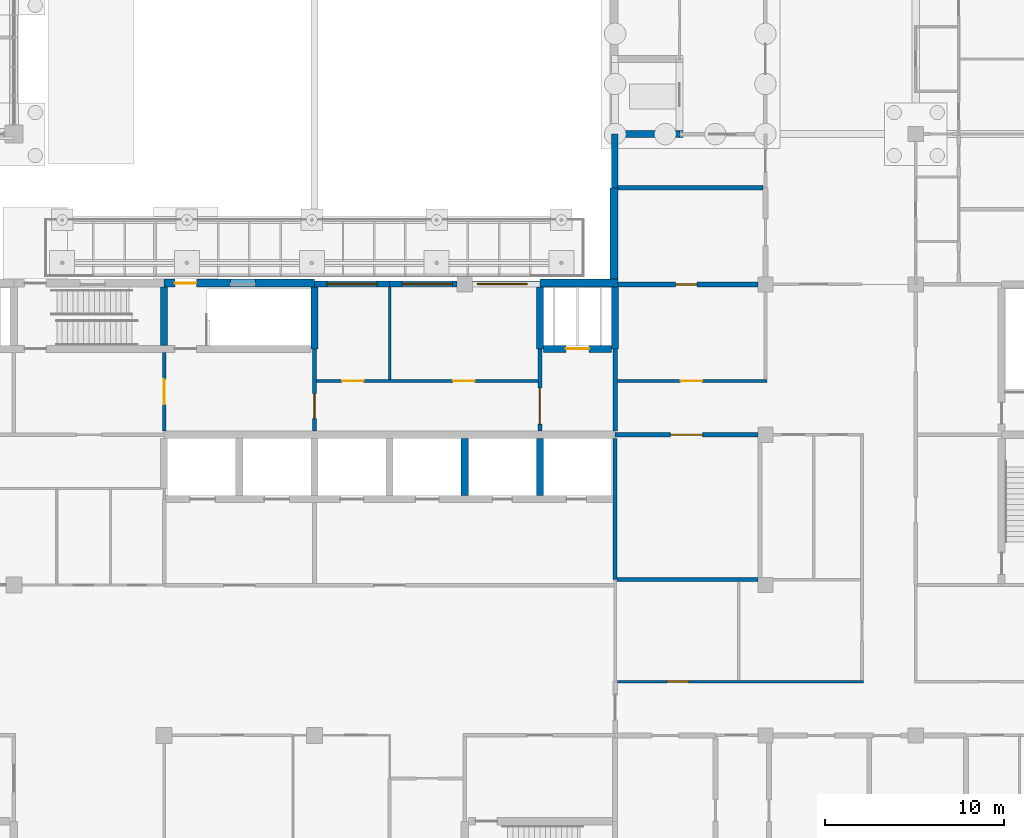
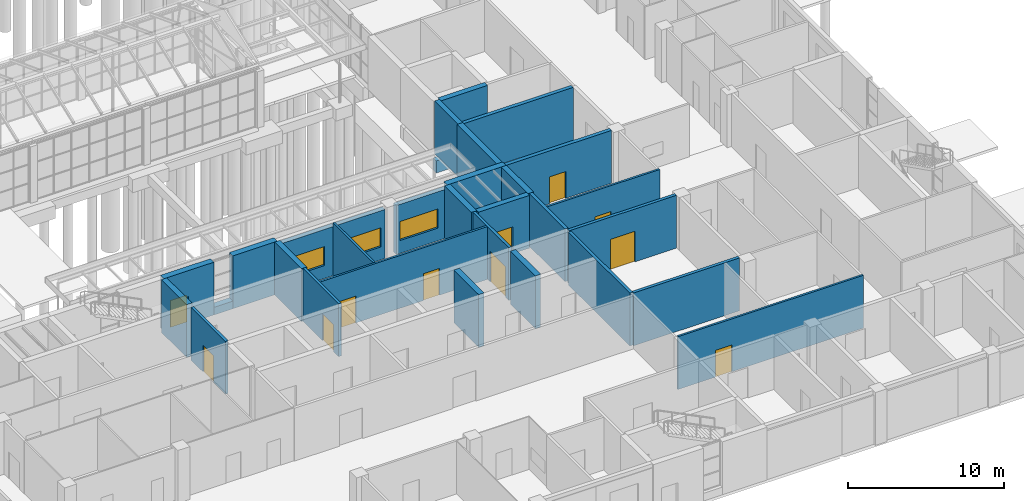
# One storey, part 114 of 138: 31 walls, 11 doors, 3 windows, 14 openings.
"""IFC4 building model written with IfcOpenShell, lengths in metres."""

from ifc_helpers import new_model, si_unit, direction, frame, frame_2d, origin, place, context, subcontext, project, spatial, rectangle, extrude, material, layer, layer_set, type_object, element, fill, save


model = new_model("IFC4")

# Units and contexts
model_context = context("Model", 3, precision=1e-05, world=origin(), true_north=direction((0.0, 1.0)))
body_context = subcontext(model_context, "Body", "Model", "MODEL_VIEW")
ifc_project = project(units=[si_unit("LENGTHUNIT", "METRE"), si_unit("AREAUNIT", "SQUARE_METRE"), si_unit("VOLUMEUNIT", "CUBIC_METRE"), si_unit("PLANEANGLEUNIT", "RADIAN"), si_unit("MASSUNIT", "GRAM", prefix="KILO")], contexts=[model_context])

# Site, building, storey
site_placement = place(None, origin())
site = spatial("IfcSite", under=ifc_project, at=site_placement, CompositionType="ELEMENT")
building_placement = place(site_placement, origin())
building = spatial("IfcBuilding", under=site, at=building_placement, Name="Yavir Park General Hospital", CompositionType="ELEMENT")
storey_placement = place(building_placement, origin())
storey = spatial("IfcBuildingStorey", under=building, at=storey_placement, Name="L00", CompositionType="ELEMENT", Elevation=0.0)

# Wall
ifc_material_1 = material(Name="Concrete C30/37", Category="concrete")
ifc_layer_1 = layer(ifc_material_1, 0.25)
ifc_layer_set_1 = layer_set([ifc_layer_1], Name="Concrete C30/37")
wall_type_1 = type_object("IfcWallType", Name="Compartment fire wall 250, REI 150", PredefinedType="SOLIDWALL", material=ifc_layer_set_1)
wall_1_placement = place(storey_placement, frame((142.800048828125, 25.39990234375, 0.0), z_axis=(0.0, 0.0, 1.0), x_axis=(0.0, 1.0, 0.0)))
element("IfcWall", 1, at=wall_1_placement, inside=storey, type_object=wall_type_1, Name="FW25 L00-465", PredefinedType="SOLIDWALL", context=body_context, shape_type="SweptSolid", body=[
    extrude(rectangle(XDim=4.60009765625, YDim=0.25, at=frame_2d((2.300048828125, 0.0))), origin(), (0.0, 0.0, 1.0), 4.139892578125),
])

# Wall, opening, door
ifc_material_2 = material(Name="Double gypsum board fire partition on steel studs", Category="steel")
ifc_layer_2 = layer(ifc_material_2, 0.199951171875)
ifc_layer_set_2 = layer_set([ifc_layer_2], Name="Double gypsum board fire partition on steel studs")
wall_type_2 = type_object("IfcWallType", Name="Fire-rated partition 200, EI 60", PredefinedType="PARTITIONING", material=ifc_layer_set_2)
wall_2_placement = place(storey_placement, frame((117.60009765625, 25.39990234375, 0.0), z_axis=(0.0, 0.0, 1.0), x_axis=(0.0, 1.0, 0.0)))
wall_2 = element("IfcWall", 2, at=wall_2_placement, inside=storey, type_object=wall_type_2, Name="FP20 L00-442", PredefinedType="PARTITIONING", context=body_context, shape_type="SweptSolid", body=[
    extrude(rectangle(XDim=4.400146484375, YDim=0.199951171875, at=frame_2d((2.2001953125, 0.0))), origin(), (0.0, 0.0, 1.0), 4.139892578125),
])
opening_1_placement = place(wall_2_placement, frame((1.5, 0.0, 0.0)))
opening_1 = element("IfcOpeningElement", 3, at=opening_1_placement, cuts=wall_2, Name="Opening L00.D209", PredefinedType="OPENING", context=body_context, shape_type="SweptSolid", body=[
    extrude(rectangle(XDim=1.39990234375, YDim=2.10009765625, at=frame_2d((0.699951171875, 1.050048828125))), frame((0.0, 0.10986328125, 0.0), z_axis=(0.0, -1.0, 0.0), x_axis=(1.0, 0.0, 0.0)), (0.0, 0.0, 1.0), 0.219970703125),
])
ifc_material_3 = material(Name="Steel frame, fire-resisting timber leaves", Category="steel")
door_type_1 = type_object("IfcDoorType", Name="Double fire door 1400 x 2100, EI 60", OperationType="DOUBLE_DOOR_SINGLE_SWING", PredefinedType="DOOR", material=ifc_material_3)
door_1_placement = place(opening_1_placement, origin())
door_1 = element("IfcDoor", 4, at=door_1_placement, inside=storey, type_object=door_type_1, Name="L00.D209", OperationType="SINGLE_SWING_LEFT", OverallHeight=2.10009765625, OverallWidth=1.39990234375, PredefinedType="DOOR", context=body_context, shape_type="SweptSolid", body=[
    extrude(rectangle(XDim=1.39990234375, YDim=2.10009765625, at=frame_2d((0.699951171875, 1.050048828125))), frame((0.0, 0.02490234375, 0.0), z_axis=(0.0, -1.0, 0.0), x_axis=(1.0, 0.0, 0.0)), (0.0, 0.0, 1.0), 0.050048828125),
])
fill(opening_1, door_1)

wall_3_placement = place(storey_placement, frame((126.0, 25.39990234375, 0.0), z_axis=(0.0, 0.0, 1.0), x_axis=(0.0, 1.0, 0.0)))
wall_3 = element("IfcWall", 5, at=wall_3_placement, inside=storey, type_object=wall_type_2, Name="FP20 L00-448", PredefinedType="PARTITIONING", context=body_context, shape_type="SweptSolid", body=[
    extrude(rectangle(XDim=4.60009765625, YDim=0.199951171875, at=frame_2d((2.300048828125, 0.0))), origin(), (0.0, 0.0, 1.0), 4.139892578125),
])
opening_2_placement = place(wall_3_placement, frame((0.699951171875, 0.0, 0.0)))
opening_2 = element("IfcOpeningElement", 6, at=opening_2_placement, cuts=wall_3, Name="Opening L00.D210", PredefinedType="OPENING", context=body_context, shape_type="SweptSolid", body=[
    extrude(rectangle(XDim=1.39990234375, YDim=2.10009765625, at=frame_2d((0.699951171875, 1.050048828125))), frame((0.0, 0.10986328125, 0.0), z_axis=(0.0, -1.0, 0.0), x_axis=(1.0, 0.0, 0.0)), (0.0, 0.0, 1.0), 0.219970703125),
])
ifc_material_4 = material(Name="Steel frame, fire-resisting leaves with vision panels", Category="steel")
door_type_2 = type_object("IfcDoorType", Name="Double fire door with vision panels 1400 x 2100, EI 60", OperationType="DOUBLE_DOOR_SINGLE_SWING", PredefinedType="DOOR", material=ifc_material_4)
door_2_placement = place(opening_2_placement, origin())
door_2 = element("IfcDoor", 7, at=door_2_placement, inside=storey, type_object=door_type_2, Name="L00.D210", OperationType="SINGLE_SWING_RIGHT", OverallHeight=2.10009765625, OverallWidth=1.39990234375, PredefinedType="DOOR", context=body_context, shape_type="SweptSolid", body=[
    extrude(rectangle(XDim=1.39990234375, YDim=2.10009765625, at=frame_2d((0.699951171875, 1.050048828125))), frame((0.0, 0.030029296875, 0.0), z_axis=(0.0, -1.0, 0.0), x_axis=(1.0, 0.0, 0.0)), (0.0, 0.0, 1.0), 0.06005859375),
])
fill(opening_2, door_2)

wall_4_placement = place(storey_placement, frame((138.60009765625, 25.39990234375, 0.0), z_axis=(0.0, 0.0, 1.0), x_axis=(0.0, 1.0, 0.0)))
wall_4 = element("IfcWall", 8, at=wall_4_placement, inside=storey, type_object=wall_type_2, Name="FP20 L00-458", PredefinedType="PARTITIONING", context=body_context, shape_type="SweptSolid", body=[
    extrude(rectangle(XDim=4.60009765625, YDim=0.199951171875, at=frame_2d((2.300048828125, 0.0))), origin(), (0.0, 0.0, 1.0), 4.139892578125),
])
opening_3_placement = place(wall_4_placement, frame((0.39990234375, 0.0, 0.0)))
opening_3 = element("IfcOpeningElement", 9, at=opening_3_placement, cuts=wall_4, Name="Opening L00.D211", PredefinedType="OPENING", context=body_context, shape_type="SweptSolid", body=[
    extrude(rectangle(XDim=2.0, YDim=2.39990234375, at=frame_2d((1.0, 1.199951171875))), frame((0.0, 0.10986328125, 0.0), z_axis=(0.0, -1.0, 0.0), x_axis=(1.0, 0.0, 0.0)), (0.0, 0.0, 1.0), 0.219970703125),
])
ifc_material_5 = material(Name="Steel frame, fire-resisting leaves with vision panels", Category="steel")
door_type_3 = type_object("IfcDoorType", Name="Double fire door with vision panels 2000 x 2400, EI 60", OperationType="DOUBLE_DOOR_SINGLE_SWING", PredefinedType="DOOR", material=ifc_material_5)
door_3_placement = place(opening_3_placement, origin())
door_3 = element("IfcDoor", 10, at=door_3_placement, inside=storey, type_object=door_type_3, Name="L00.D211", OperationType="SINGLE_SWING_LEFT", OverallHeight=2.39990234375, OverallWidth=2.0, PredefinedType="DOOR", context=body_context, shape_type="SweptSolid", body=[
    extrude(rectangle(XDim=2.0, YDim=2.39990234375, at=frame_2d((1.0, 1.199951171875))), frame((0.0, 0.030029296875, 0.0), z_axis=(0.0, -1.0, 0.0), x_axis=(1.0, 0.0, 0.0)), (0.0, 0.0, 1.0), 0.06005859375),
])
fill(opening_3, door_3)

# Wall, openings, doors
ifc_material_6 = material(Name="Gypsum board partition on steel studs", Category="steel")
ifc_layer_3 = layer(ifc_material_6, 0.14990234375)
ifc_layer_set_3 = layer_set([ifc_layer_3], Name="Gypsum board partition on steel studs")
wall_type_3 = type_object("IfcWallType", Name="Gypsum board partition 150", PredefinedType="PARTITIONING", material=ifc_layer_set_3)
wall_5_placement = place(storey_placement, frame((126.10009765625, 28.199951171875, 0.0), z_axis=(0.0, 0.0, 1.0), x_axis=(1.0, 0.0, 0.0)))
wall_5 = element("IfcWall", 11, at=wall_5_placement, inside=storey, type_object=wall_type_3, Name="P15 L00-076", PredefinedType="PARTITIONING", context=body_context, shape_type="SweptSolid", body=[
    extrude(rectangle(XDim=12.39990234375, YDim=0.14990234375, at=frame_2d((6.199951171875, 0.0))), origin(), (0.0, 0.0, 1.0), 4.139892578125),
])
opening_4_placement = place(wall_5_placement, frame((1.449951171875, 0.0, 0.0)))
opening_4 = element("IfcOpeningElement", 12, at=opening_4_placement, cuts=wall_5, Name="Opening L00.D069", PredefinedType="OPENING", context=body_context, shape_type="SweptSolid", body=[
    extrude(rectangle(XDim=1.199951171875, YDim=2.10009765625, at=frame_2d((0.60009765625, 1.050048828125))), frame((0.0, 0.0849609375, 0.0), z_axis=(0.0, -1.0, 0.0), x_axis=(1.0, 0.0, 0.0)), (0.0, 0.0, 1.0), 0.169921875),
])
opening_5_placement = place(wall_5_placement, frame((7.64990234375, 0.0, 0.0)))
opening_5 = element("IfcOpeningElement", 13, at=opening_5_placement, cuts=wall_5, Name="Opening L00.D070", PredefinedType="OPENING", context=body_context, shape_type="SweptSolid", body=[
    extrude(rectangle(XDim=1.199951171875, YDim=2.10009765625, at=frame_2d((0.60009765625, 1.050048828125))), frame((0.0, 0.0849609375, 0.0), z_axis=(0.0, -1.0, 0.0), x_axis=(1.0, 0.0, 0.0)), (0.0, 0.0, 1.0), 0.169921875),
])
ifc_material_7 = material(Name="Hollow metal frame, solid-core timber leaf", Category="wood")
door_type_4 = type_object("IfcDoorType", Name="Single swing door 1200 x 2100", OperationType="SINGLE_SWING_LEFT", PredefinedType="DOOR", material=ifc_material_7)
door_4_placement = place(opening_4_placement, origin())
door_4 = element("IfcDoor", 14, at=door_4_placement, inside=storey, type_object=door_type_4, Name="L00.D069", OperationType="SINGLE_SWING_LEFT", OverallHeight=2.10009765625, OverallWidth=1.199951171875, PredefinedType="DOOR", context=body_context, shape_type="SweptSolid", body=[
    extrude(rectangle(XDim=1.199951171875, YDim=2.10009765625, at=frame_2d((0.60009765625, 1.050048828125))), frame((0.0, 0.02490234375, 0.0), z_axis=(0.0, -1.0, 0.0), x_axis=(1.0, 0.0, 0.0)), (0.0, 0.0, 1.0), 0.050048828125),
])
fill(opening_4, door_4)
door_5_placement = place(opening_5_placement, origin())
door_5 = element("IfcDoor", 15, at=door_5_placement, inside=storey, type_object=door_type_4, Name="L00.D070", OperationType="SINGLE_SWING_RIGHT", OverallHeight=2.10009765625, OverallWidth=1.199951171875, PredefinedType="DOOR", context=body_context, shape_type="SweptSolid", body=[
    extrude(rectangle(XDim=1.199951171875, YDim=2.10009765625, at=frame_2d((0.60009765625, 1.050048828125))), frame((0.0, 0.02490234375, 0.0), z_axis=(0.0, -1.0, 0.0), x_axis=(1.0, 0.0, 0.0)), (0.0, 0.0, 1.0), 0.050048828125),
])
fill(opening_5, door_5)

# Wall, opening, door
wall_6_placement = place(storey_placement, frame((142.925048828125, 28.199951171875, 0.0), z_axis=(0.0, 0.0, 1.0), x_axis=(1.0, 0.0, 0.0)))
wall_6 = element("IfcWall", 16, at=wall_6_placement, inside=storey, type_object=wall_type_3, Name="P15 L00-077", PredefinedType="PARTITIONING", context=body_context, shape_type="SweptSolid", body=[
    extrude(rectangle(XDim=8.349853515625, YDim=0.14990234375, at=frame_2d((4.1748046875, 0.0))), origin(), (0.0, 0.0, 1.0), 4.139892578125),
])
opening_6_placement = place(wall_6_placement, frame((3.53759765625, 0.0, 0.0)))
opening_6 = element("IfcOpeningElement", 17, at=opening_6_placement, cuts=wall_6, Name="Opening L00.D071", PredefinedType="OPENING", context=body_context, shape_type="SweptSolid", body=[
    extrude(rectangle(XDim=1.199951171875, YDim=2.10009765625, at=frame_2d((0.60009765625, 1.050048828125))), frame((0.0, 0.0849609375, 0.0), z_axis=(0.0, -1.0, 0.0), x_axis=(1.0, 0.0, 0.0)), (0.0, 0.0, 1.0), 0.169921875),
])
door_6_placement = place(opening_6_placement, origin())
door_6 = element("IfcDoor", 18, at=door_6_placement, inside=storey, type_object=door_type_4, Name="L00.D071", OperationType="SINGLE_SWING_LEFT", OverallHeight=2.10009765625, OverallWidth=1.199951171875, PredefinedType="DOOR", context=body_context, shape_type="SweptSolid", body=[
    extrude(rectangle(XDim=1.199951171875, YDim=2.10009765625, at=frame_2d((0.60009765625, 1.050048828125))), frame((0.0, 0.02490234375, 0.0), z_axis=(0.0, -1.0, 0.0), x_axis=(1.0, 0.0, 0.0)), (0.0, 0.0, 1.0), 0.050048828125),
])
fill(opening_6, door_6)

# Walls
wall_7_placement = place(storey_placement, frame((130.199951171875, 28.27490234375, 0.0), z_axis=(0.0, 0.0, 1.0), x_axis=(0.0, 1.0, 0.0)))
element("IfcWall", 19, at=wall_7_placement, inside=storey, type_object=wall_type_3, Name="P15 L00-453", PredefinedType="PARTITIONING", context=body_context, shape_type="SweptSolid", body=[
    extrude(rectangle(XDim=5.175048828125, YDim=0.14990234375, at=frame_2d((2.58740234375, 0.0))), origin(), (0.0, 0.0, 1.0), 4.139892578125),
])
ifc_material_8 = material(Name="Dense aggregate block wall, lead-lined")
ifc_layer_4 = layer(ifc_material_8, 0.22509765625)
ifc_layer_set_4 = layer_set([ifc_layer_4], Name="Dense aggregate block wall, lead-lined")
wall_type_4 = type_object("IfcWallType", Name="Lead-lined dense block shielding wall 225, EI 60", PredefinedType="SOLIDWALL", material=ifc_layer_set_4)
wall_8_placement = place(storey_placement, frame((142.91259765625, 17.10009765625, 0.0), z_axis=(0.0, 0.0, 1.0), x_axis=(1.0, 0.0, 0.0)))
element("IfcWall", 20, at=wall_8_placement, inside=storey, type_object=wall_type_4, Name="LH225 L00-047", PredefinedType="SOLIDWALL", context=body_context, shape_type="SweptSolid", body=[
    extrude(rectangle(XDim=7.8623046875, YDim=0.22509765625, at=frame_2d((3.93115234375, 0.0))), origin(), (0.0, 0.0, 1.0), 4.139892578125),
])

# Wall, opening, door
wall_9_placement = place(storey_placement, frame((142.800048828125, 25.199951171875, 0.0), z_axis=(0.0, 0.0, 1.0), x_axis=(1.0, 0.0, 0.0)))
wall_9 = element("IfcWall", 21, at=wall_9_placement, inside=storey, type_object=wall_type_4, Name="LH225 L00-071", PredefinedType="SOLIDWALL", context=body_context, shape_type="SweptSolid", body=[
    extrude(rectangle(XDim=7.974853515625, YDim=0.22509765625, at=frame_2d((3.9873046875, 0.0))), origin(), (0.0, 0.0, 1.0), 4.139892578125),
])
opening_7_placement = place(wall_9_placement, frame((3.08740234375, 0.0, 0.0)))
opening_7 = element("IfcOpeningElement", 22, at=opening_7_placement, cuts=wall_9, Name="Opening L00.D066", PredefinedType="OPENING", context=body_context, shape_type="SweptSolid", body=[
    extrude(rectangle(XDim=1.800048828125, YDim=2.39990234375, at=frame_2d((0.89990234375, 1.199951171875))), frame((0.0, 0.12255859375, 0.0), z_axis=(0.0, -1.0, 0.0), x_axis=(1.0, 0.0, 0.0)), (0.0, 0.0, 1.0), 0.2451171875),
])
ifc_material_9 = material(Name="Lead-lined steel door leaves, 2.5 mm lead", Category="steel")
door_type_5 = type_object("IfcDoorType", Name="Lead-lined double door 1800 x 2400, EI 60", OperationType="DOUBLE_DOOR_SINGLE_SWING", PredefinedType="DOOR", material=ifc_material_9)
door_7_placement = place(opening_7_placement, origin())
door_7 = element("IfcDoor", 23, at=door_7_placement, inside=storey, type_object=door_type_5, Name="L00.D066", OperationType="SINGLE_SWING_LEFT", OverallHeight=2.39990234375, OverallWidth=1.800048828125, PredefinedType="DOOR", context=body_context, shape_type="SweptSolid", body=[
    extrude(rectangle(XDim=1.800048828125, YDim=2.39990234375, at=frame_2d((0.89990234375, 1.199951171875))), frame((0.0, 0.0400390625, 0.0), z_axis=(0.0, -1.0, 0.0), x_axis=(1.0, 0.0, 0.0)), (0.0, 0.0, 1.0), 0.080078125),
])
fill(opening_7, door_7)

# Walls
wall_10_placement = place(storey_placement, frame((142.800048828125, 17.10009765625, 0.0), z_axis=(0.0, 0.0, 1.0), x_axis=(0.0, 1.0, 0.0)))
element("IfcWall", 24, at=wall_10_placement, inside=storey, type_object=wall_type_4, Name="LH225 L00-464", PredefinedType="SOLIDWALL", context=body_context, shape_type="SweptSolid", body=[
    extrude(rectangle(XDim=7.89990234375, YDim=0.22509765625, at=frame_2d((3.949951171875, 0.0))), origin(), (0.0, 0.0, 1.0), 4.139892578125),
])
ifc_material_10 = material(Name="Concrete C30/37 precast panel with 3 mm lead sheet lining and mineral wool insulation", Category="concrete")
ifc_layer_5 = layer(ifc_material_10, 0.425048828125)
ifc_layer_set_5 = layer_set([ifc_layer_5], Name="Concrete C30/37 precast panel with 3 mm lead sheet lining and mineral wool insulation")
wall_type_5 = type_object("IfcWallType", Name="Lead-lined imaging room wall 425, E 30", PredefinedType="SOLIDWALL", material=ifc_layer_set_5)
wall_11_placement = place(storey_placement, frame((142.737548828125, 33.89990234375, 0.0), z_axis=(0.0, 0.0, 1.0), x_axis=(0.0, 1.0, 0.0)))
element("IfcWall", 25, at=wall_11_placement, inside=storey, type_object=wall_type_5, Name="XW8 L00-156", PredefinedType="SOLIDWALL", context=body_context, shape_type="SweptSolid", body=[
    extrude(rectangle(XDim=5.10009765625, YDim=0.425048828125, at=frame_2d((2.550048828125, 0.0))), origin(), (0.0, 0.0, 1.0), 4.139892578125),
])

# Wall, opening, door
ifc_material_11 = material(Name="Lead-lined gypsum board shielding partition")
ifc_layer_6 = layer(ifc_material_11, 0.14990234375)
ifc_layer_set_6 = layer_set([ifc_layer_6], Name="Lead-lined gypsum board shielding partition")
wall_type_6 = type_object("IfcWallType", Name="Lead-lined shielding partition 150, EI 60", PredefinedType="PARTITIONING", material=ifc_layer_set_6)
wall_12_placement = place(storey_placement, frame((142.925048828125, 11.39990234375, 0.0), z_axis=(0.0, 0.0, 1.0), x_axis=(1.0, 0.0, 0.0)))
wall_12 = element("IfcWall", 26, at=wall_12_placement, inside=storey, type_object=wall_type_6, Name="LL150 L00-024", PredefinedType="PARTITIONING", context=body_context, shape_type="SweptSolid", body=[
    extrude(rectangle(XDim=13.75, YDim=0.14990234375, at=frame_2d((6.875, 0.0))), origin(), (0.0, 0.0, 1.0), 4.139892578125),
])
opening_8_placement = place(wall_12_placement, frame((2.78759765625, 0.0, 0.0)))
opening_8 = element("IfcOpeningElement", 27, at=opening_8_placement, cuts=wall_12, Name="Opening L00.D021", PredefinedType="OPENING", context=body_context, shape_type="SweptSolid", body=[
    extrude(rectangle(XDim=1.199951171875, YDim=2.10009765625, at=frame_2d((0.60009765625, 1.050048828125))), frame((0.0, 0.0849609375, 0.0), z_axis=(0.0, -1.0, 0.0), x_axis=(1.0, 0.0, 0.0)), (0.0, 0.0, 1.0), 0.169921875),
])
ifc_material_12 = material(Name="Lead-lined steel door leaf, 2.5 mm lead", Category="steel")
door_type_6 = type_object("IfcDoorType", Name="Lead-lined door 1200 x 2100, EI 60", OperationType="SINGLE_SWING_LEFT", PredefinedType="DOOR", material=ifc_material_12)
door_8_placement = place(opening_8_placement, origin())
door_8 = element("IfcDoor", 28, at=door_8_placement, inside=storey, type_object=door_type_6, Name="L00.D021", OperationType="SINGLE_SWING_LEFT", OverallHeight=2.10009765625, OverallWidth=1.199951171875, PredefinedType="DOOR", context=body_context, shape_type="SweptSolid", body=[
    extrude(rectangle(XDim=1.199951171875, YDim=2.10009765625, at=frame_2d((0.60009765625, 1.050048828125))), frame((0.0, 0.0400390625, 0.0), z_axis=(0.0, -1.0, 0.0), x_axis=(1.0, 0.0, 0.0)), (0.0, 0.0, 1.0), 0.080078125),
])
fill(opening_8, door_8)

ifc_material_13 = material(Name="Lead-lined block wall, 3 mm lead sheet, RF-sealed")
ifc_layer_7 = layer(ifc_material_13, 0.27490234375)
ifc_layer_set_7 = layer_set([ifc_layer_7], Name="Lead-lined block wall, 3 mm lead sheet, RF-sealed")
wall_type_7 = type_object("IfcWallType", Name="Lead-lined shielding wall 275, EI 60", PredefinedType="SOLIDWALL", material=ifc_layer_set_7)
wall_13_placement = place(storey_placement, frame((142.800048828125, 33.60009765625, 0.0), z_axis=(0.0, 0.0, 1.0), x_axis=(1.0, 0.0, 0.0)))
wall_13 = element("IfcWall", 29, at=wall_13_placement, inside=storey, type_object=wall_type_7, Name="LC275 L00-092", PredefinedType="SOLIDWALL", context=body_context, shape_type="SweptSolid", body=[
    extrude(rectangle(XDim=7.974853515625, YDim=0.27490234375, at=frame_2d((3.9873046875, 0.0))), origin(), (0.0, 0.0, 1.0), 4.139892578125),
])
opening_9_placement = place(wall_13_placement, frame((3.387451171875, 0.0, 0.0)))
opening_9 = element("IfcOpeningElement", 30, at=opening_9_placement, cuts=wall_13, Name="Opening L00.D083", PredefinedType="OPENING", context=body_context, shape_type="SweptSolid", body=[
    extrude(rectangle(XDim=1.199951171875, YDim=2.10009765625, at=frame_2d((0.60009765625, 1.050048828125))), frame((0.0, 0.1474609375, 0.0), z_axis=(0.0, -1.0, 0.0), x_axis=(1.0, 0.0, 0.0)), (0.0, 0.0, 1.0), 0.294921875),
])
door_9_placement = place(opening_9_placement, origin())
door_9 = element("IfcDoor", 31, at=door_9_placement, inside=storey, type_object=door_type_6, Name="L00.D083", OperationType="SINGLE_SWING_LEFT", OverallHeight=2.10009765625, OverallWidth=1.199951171875, PredefinedType="DOOR", context=body_context, shape_type="SweptSolid", body=[
    extrude(rectangle(XDim=1.199951171875, YDim=2.10009765625, at=frame_2d((0.60009765625, 1.050048828125))), frame((0.0, 0.0400390625, 0.0), z_axis=(0.0, -1.0, 0.0), x_axis=(1.0, 0.0, 0.0)), (0.0, 0.0, 1.0), 0.080078125),
])
fill(opening_9, door_9)

# Wall
wall_14_placement = place(storey_placement, frame((142.949951171875, 39.0, 0.0), z_axis=(0.0, 0.0, 1.0), x_axis=(1.0, 0.0, 0.0)))
element("IfcWall", 32, at=wall_14_placement, inside=storey, type_object=wall_type_7, Name="LC275 L00-102", PredefinedType="SOLIDWALL", context=body_context, shape_type="SweptSolid", body=[
    extrude(rectangle(XDim=8.112548828125, YDim=0.27490234375, at=frame_2d((4.05615234375, 0.0))), origin(), (0.0, 0.0, 1.0), 4.139892578125),
])

# Wall, opening, window
ifc_material_14 = material(Name="Concrete C30/37 precast panel with 120 mm mineral wool insulation", Category="concrete")
ifc_layer_8 = layer(ifc_material_14, 0.35009765625)
ifc_layer_set_8 = layer_set([ifc_layer_8], Name="Concrete C30/37 precast panel with 120 mm mineral wool insulation")
wall_type_8 = type_object("IfcWallType", Name="Precast cladding panel podium wall 350, E 30", PredefinedType="SOLIDWALL", material=ifc_layer_set_8)
wall_15_placement = place(storey_placement, frame((126.0, 33.625, 0.0), z_axis=(0.0, 0.0, 1.0), x_axis=(1.0, 0.0, 0.0)))
wall_15 = element("IfcWall", 33, at=wall_15_placement, inside=storey, type_object=wall_type_8, Name="XW2 L00-053", PredefinedType="SOLIDWALL", context=body_context, shape_type="SweptSolid", body=[
    extrude(rectangle(XDim=4.199951171875, YDim=0.35009765625, at=frame_2d((2.10009765625, 0.0))), origin(), (0.0, 0.0, 1.0), 3.840087890625),
])
opening_10_placement = place(wall_15_placement, frame((0.699951171875, 0.0, 1.0)))
opening_10 = element("IfcOpeningElement", 34, at=opening_10_placement, cuts=wall_15, Name="Opening WRB2", PredefinedType="OPENING", context=body_context, shape_type="SweptSolid", body=[
    extrude(rectangle(XDim=2.800048828125, YDim=1.5, at=frame_2d((1.39990234375, 0.75))), frame((0.0, 0.18505859375, 0.0), z_axis=(0.0, -1.0, 0.0), x_axis=(1.0, 0.0, 0.0)), (0.0, 0.0, 1.0), 0.3701171875),
])
ifc_material_15 = material(Name="Aluminium frame, double glazed unit", Category="aluminium")
window_type = type_object("IfcWindowType", Name="Tall ribbon window 2800 x 1500", PartitioningType="DOUBLE_PANEL_VERTICAL", PredefinedType="WINDOW", material=ifc_material_15)
window_1_placement = place(opening_10_placement, origin())
window_1 = element("IfcWindow", 35, at=window_1_placement, inside=storey, type_object=window_type, Name="WRB2 L00-012", OverallHeight=1.5, OverallWidth=2.800048828125, PartitioningType="DOUBLE_PANEL_VERTICAL", PredefinedType="WINDOW", context=body_context, shape_type="SweptSolid", body=[
    extrude(rectangle(XDim=2.800048828125, YDim=1.5, at=frame_2d((1.39990234375, 0.75))), frame((0.0, 0.030029296875, 0.0), z_axis=(0.0, -1.0, 0.0), x_axis=(1.0, 0.0, 0.0)), (0.0, 0.0, 1.0), 0.06005859375),
])
fill(opening_10, window_1)

wall_16_placement = place(storey_placement, frame((130.199951171875, 33.625, 0.0), z_axis=(0.0, 0.0, 1.0), x_axis=(1.0, 0.0, 0.0)))
wall_16 = element("IfcWall", 36, at=wall_16_placement, inside=storey, type_object=wall_type_8, Name="XW2 L00-054", PredefinedType="SOLIDWALL", context=body_context, shape_type="SweptSolid", body=[
    extrude(rectangle(XDim=3.775146484375, YDim=0.35009765625, at=frame_2d((1.8876953125, 0.0))), origin(), (0.0, 0.0, 1.0), 3.840087890625),
])
opening_11_placement = place(wall_16_placement, frame((0.699951171875, 0.0, 1.0)))
opening_11 = element("IfcOpeningElement", 37, at=opening_11_placement, cuts=wall_16, Name="Opening WRB2", PredefinedType="OPENING", context=body_context, shape_type="SweptSolid", body=[
    extrude(rectangle(XDim=2.800048828125, YDim=1.5, at=frame_2d((1.39990234375, 0.75))), frame((0.0, 0.18505859375, 0.0), z_axis=(0.0, -1.0, 0.0), x_axis=(1.0, 0.0, 0.0)), (0.0, 0.0, 1.0), 0.3701171875),
])
window_2_placement = place(opening_11_placement, origin())
window_2 = element("IfcWindow", 38, at=window_2_placement, inside=storey, type_object=window_type, Name="WRB2 L00-013", OverallHeight=1.5, OverallWidth=2.800048828125, PartitioningType="DOUBLE_PANEL_VERTICAL", PredefinedType="WINDOW", context=body_context, shape_type="SweptSolid", body=[
    extrude(rectangle(XDim=2.800048828125, YDim=1.5, at=frame_2d((1.39990234375, 0.75))), frame((0.0, 0.030029296875, 0.0), z_axis=(0.0, -1.0, 0.0), x_axis=(1.0, 0.0, 0.0)), (0.0, 0.0, 1.0), 0.06005859375),
])
fill(opening_11, window_2)

wall_17_placement = place(storey_placement, frame((134.824951171875, 33.625, 0.0), z_axis=(0.0, 0.0, 1.0), x_axis=(1.0, 0.0, 0.0)))
wall_17 = element("IfcWall", 39, at=wall_17_placement, inside=storey, type_object=wall_type_8, Name="XW2 L00-055", PredefinedType="SOLIDWALL", context=body_context, shape_type="SweptSolid", body=[
    extrude(rectangle(XDim=3.775146484375, YDim=0.35009765625, at=frame_2d((1.8876953125, 0.0))), origin(), (0.0, 0.0, 1.0), 3.840087890625),
])
opening_12_placement = place(wall_17_placement, frame((0.27490234375, 0.0, 1.0)))
opening_12 = element("IfcOpeningElement", 40, at=opening_12_placement, cuts=wall_17, Name="Opening WRB2", PredefinedType="OPENING", context=body_context, shape_type="SweptSolid", body=[
    extrude(rectangle(XDim=2.800048828125, YDim=1.5, at=frame_2d((1.39990234375, 0.75))), frame((0.0, 0.18505859375, 0.0), z_axis=(0.0, -1.0, 0.0), x_axis=(1.0, 0.0, 0.0)), (0.0, 0.0, 1.0), 0.3701171875),
])
window_3_placement = place(opening_12_placement, origin())
window_3 = element("IfcWindow", 41, at=window_3_placement, inside=storey, type_object=window_type, Name="WRB2 L00-014", OverallHeight=1.5, OverallWidth=2.800048828125, PartitioningType="DOUBLE_PANEL_VERTICAL", PredefinedType="WINDOW", context=body_context, shape_type="SweptSolid", body=[
    extrude(rectangle(XDim=2.800048828125, YDim=1.5, at=frame_2d((1.39990234375, 0.75))), frame((0.0, 0.030029296875, 0.0), z_axis=(0.0, -1.0, 0.0), x_axis=(1.0, 0.0, 0.0)), (0.0, 0.0, 1.0), 0.06005859375),
])
fill(opening_12, window_3)

# Walls
wall_18_placement = place(storey_placement, frame((142.77490234375, 39.0, 0.0), z_axis=(0.0, 0.0, 1.0), x_axis=(0.0, 1.0, 0.0)))
element("IfcWall", 42, at=wall_18_placement, inside=storey, type_object=wall_type_8, Name="XW2 L00-157", PredefinedType="SOLIDWALL", context=body_context, shape_type="SweptSolid", body=[
    extrude(rectangle(XDim=3.0, YDim=0.35009765625, at=frame_2d((1.5, 0.0))), origin(), (0.0, 0.0, 1.0), 4.139892578125),
])
ifc_material_16 = material(Name="Concrete C35/45", Category="concrete")
ifc_layer_9 = layer(ifc_material_16, 0.39990234375)
ifc_layer_set_9 = layer_set([ifc_layer_9], Name="Concrete C35/45")
wall_type_9 = type_object("IfcWallType", Name="RC WALL LIFT PIT 400", PredefinedType="SOLIDWALL", material=ifc_layer_set_9)
wall_19_placement = place(storey_placement, frame((142.60009765625, 42.0, -1.39990234375), z_axis=(0.0, 0.0, 1.0), x_axis=(1.0, 0.0, 0.0)))
element("IfcWall", 43, at=wall_19_placement, inside=storey, type_object=wall_type_9, Name="W:PIT:EDL:0", PredefinedType="SOLIDWALL", context=body_context, shape_type="SweptSolid", body=[
    extrude(rectangle(XDim=4.0, YDim=0.39990234375, at=frame_2d((2.0, 0.0))), origin(), (0.0, 0.0, 1.0), 0.949951171875),
])

# Wall, opening, door
ifc_material_17 = material(Name="Concrete C35/45", Category="concrete")
ifc_layer_10 = layer(ifc_material_17, 0.39990234375)
ifc_layer_set_10 = layer_set([ifc_layer_10], Name="Concrete C35/45")
wall_type_10 = type_object("IfcWallType", Name="Reinforced concrete core wall 400, REI 150", PredefinedType="SHEAR", material=ifc_layer_set_10)
wall_20_placement = place(storey_placement, frame((138.800048828125, 30.0, 0.0), z_axis=(0.0, 0.0, 1.0), x_axis=(1.0, 0.0, 0.0)))
wall_20 = element("IfcWall", 44, at=wall_20_placement, inside=storey, type_object=wall_type_10, Name="CW40 L00-083", PredefinedType="SHEAR", context=body_context, shape_type="SweptSolid", body=[
    extrude(rectangle(XDim=3.800048828125, YDim=0.39990234375, at=frame_2d((1.89990234375, 0.0))), origin(), (0.0, 0.0, 1.0), 4.139892578125),
])
opening_13_placement = place(wall_20_placement, frame((1.25, 0.0, 0.0)))
opening_13 = element("IfcOpeningElement", 45, at=opening_13_placement, cuts=wall_20, Name="Opening L00.D082", PredefinedType="OPENING", context=body_context, shape_type="SweptSolid", body=[
    extrude(rectangle(XDim=1.300048828125, YDim=2.10009765625, at=frame_2d((0.64990234375, 1.050048828125))), frame((0.0, 0.2099609375, 0.0), z_axis=(0.0, -1.0, 0.0), x_axis=(1.0, 0.0, 0.0)), (0.0, 0.0, 1.0), 0.419921875),
])
ifc_material_18 = material(Name="Stainless steel landing door panels", Category="steel")
door_type_7 = type_object("IfcDoorType", Name="Lift landing door 1300 x 2100, EI 60", OperationType="SLIDING_TO_LEFT", PredefinedType="DOOR", material=ifc_material_18)
door_10_placement = place(opening_13_placement, origin())
door_10 = element("IfcDoor", 46, at=door_10_placement, inside=storey, type_object=door_type_7, Name="L00.D082", OperationType="SLIDING_TO_LEFT", OverallHeight=2.10009765625, OverallWidth=1.300048828125, PredefinedType="DOOR", context=body_context, shape_type="SweptSolid", body=[
    extrude(rectangle(XDim=1.300048828125, YDim=2.10009765625, at=frame_2d((0.64990234375, 1.050048828125))), frame((0.0, 0.02490234375, 0.0), z_axis=(0.0, -1.0, 0.0), x_axis=(1.0, 0.0, 0.0)), (0.0, 0.0, 1.0), 0.050048828125),
])
fill(opening_13, door_10)

# Walls
wall_21_placement = place(storey_placement, frame((142.949951171875, 42.0, 0.0), z_axis=(0.0, 0.0, 1.0), x_axis=(1.0, 0.0, 0.0)))
element("IfcWall", 47, at=wall_21_placement, inside=storey, type_object=wall_type_10, Name="CW40 L00-111", PredefinedType="SHEAR", context=body_context, shape_type="SweptSolid", body=[
    extrude(rectangle(XDim=3.449951171875, YDim=0.39990234375, at=frame_2d((1.72509765625, 0.0))), origin(), (0.0, 0.0, 1.0), 4.139892578125),
])
wall_22_placement = place(storey_placement, frame((117.60009765625, 30.199951171875, 0.0), z_axis=(0.0, 0.0, 1.0), x_axis=(0.0, 1.0, 0.0)))
element("IfcWall", 48, at=wall_22_placement, inside=storey, type_object=wall_type_10, Name="CW40 L00-443", PredefinedType="SHEAR", context=body_context, shape_type="SweptSolid", body=[
    extrude(rectangle(XDim=3.25, YDim=0.39990234375, at=frame_2d((1.625, 0.0))), origin(), (0.0, 0.0, 1.0), 4.139892578125),
])
wall_23_placement = place(storey_placement, frame((126.0, 30.0, 0.0), z_axis=(0.0, 0.0, 1.0), x_axis=(0.0, 1.0, 0.0)))
element("IfcWall", 49, at=wall_23_placement, inside=storey, type_object=wall_type_10, Name="CW40 L00-449", PredefinedType="SHEAR", context=body_context, shape_type="SweptSolid", body=[
    extrude(rectangle(XDim=3.449951171875, YDim=0.39990234375, at=frame_2d((1.72509765625, 0.0))), origin(), (0.0, 0.0, 1.0), 4.139892578125),
])
for number, where, z_axis, x_axis, name in (
    (50, (134.39990234375, 21.800048828125, 0.0), (0.0, 0.0, 1.0), (0.0, 1.0, 0.0), "CW40 L00-456"),
    (51, (138.60009765625, 21.800048828125, 0.0), (0.0, 0.0, 1.0), (0.0, 1.0, 0.0), "CW40 L00-457"),
):
    element("IfcWall", number, at=place(storey_placement, frame(where, z_axis=z_axis, x_axis=x_axis)), inside=storey, type_object=wall_type_10, Name=name, PredefinedType="SHEAR", context=body_context, shape_type="SweptSolid", body=[
        extrude(rectangle(XDim=3.199951171875, YDim=0.39990234375, at=frame_2d((1.60009765625, 0.0))), origin(), (0.0, 0.0, 1.0), 4.139892578125),
    ])
for number, where, z_axis, x_axis, name in (
    (52, (138.60009765625, 30.0, 0.0), (0.0, 0.0, 1.0), (0.0, 1.0, 0.0), "CW40 L00-459"),
    (53, (142.800048828125, 30.0, 0.0), (0.0, 0.0, 1.0), (0.0, 1.0, 0.0), "CW40 L00-466"),
):
    element("IfcWall", number, at=place(storey_placement, frame(where, z_axis=z_axis, x_axis=x_axis)), inside=storey, type_object=wall_type_10, Name=name, PredefinedType="SHEAR", context=body_context, shape_type="SweptSolid", body=[
        extrude(rectangle(XDim=3.449951171875, YDim=0.39990234375, at=frame_2d((1.72509765625, 0.0))), origin(), (0.0, 0.0, 1.0), 4.139892578125),
    ])

# Wall, opening, door
ifc_material_19 = material(Name="Concrete C30/37 precast panel with 150 mm mineral wool insulation", Category="concrete")
ifc_layer_11 = layer(ifc_material_19, 0.449951171875)
ifc_layer_set_11 = layer_set([ifc_layer_11], Name="Concrete C30/37 precast panel with 150 mm mineral wool insulation")
wall_type_11 = type_object("IfcWallType", Name="Stair enclosure wall 450, REI 150", PredefinedType="SOLIDWALL", material=ifc_layer_set_11)
wall_24_placement = place(storey_placement, frame((117.60009765625, 33.675048828125, 0.0), z_axis=(0.0, 0.0, 1.0), x_axis=(1.0, 0.0, 0.0)))
wall_24 = element("IfcWall", 54, at=wall_24_placement, inside=storey, type_object=wall_type_11, Name="XW6 L00-050", PredefinedType="SOLIDWALL", context=body_context, shape_type="SweptSolid", body=[
    extrude(rectangle(XDim=3.699951171875, YDim=0.449951171875, at=frame_2d((1.85009765625, 0.0))), origin(), (0.0, 0.0, 1.0), 4.139892578125),
])
opening_14_placement = place(wall_24_placement, frame((0.60009765625, 0.0, 0.0)))
opening_14 = element("IfcOpeningElement", 55, at=opening_14_placement, cuts=wall_24, Name="Opening L00.X14", PredefinedType="OPENING", context=body_context, shape_type="SweptSolid", body=[
    extrude(rectangle(XDim=1.199951171875, YDim=2.10009765625, at=frame_2d((0.60009765625, 1.050048828125))), frame((0.0, 0.23486328125, 0.0), z_axis=(0.0, -1.0, 0.0), x_axis=(1.0, 0.0, 0.0)), (0.0, 0.0, 1.0), 0.469970703125),
])
door_11_placement = place(opening_14_placement, origin())
door_11 = element("IfcDoor", 56, at=door_11_placement, inside=storey, type_object=door_type_4, Name="L00.X14", OperationType="SINGLE_SWING_RIGHT", OverallHeight=2.10009765625, OverallWidth=1.199951171875, PredefinedType="DOOR", context=body_context, shape_type="SweptSolid", body=[
    extrude(rectangle(XDim=1.199951171875, YDim=2.10009765625, at=frame_2d((0.60009765625, 1.050048828125))), frame((0.0, 0.02490234375, 0.0), z_axis=(0.0, -1.0, 0.0), x_axis=(1.0, 0.0, 0.0)), (0.0, 0.0, 1.0), 0.050048828125),
])
fill(opening_14, door_11)

# Walls
wall_25_placement = place(storey_placement, frame((122.699951171875, 33.675048828125, 0.0), z_axis=(0.0, 0.0, 1.0), x_axis=(1.0, 0.0, 0.0)))
element("IfcWall", 57, at=wall_25_placement, inside=storey, type_object=wall_type_11, Name="XW6 L00-051", PredefinedType="SOLIDWALL", context=body_context, shape_type="SweptSolid", body=[
    extrude(rectangle(XDim=3.300048828125, YDim=0.449951171875, at=frame_2d((1.64990234375, 0.0))), origin(), (0.0, 0.0, 1.0), 4.139892578125),
])
wall_26_placement = place(storey_placement, frame((121.300048828125, 33.675048828125, 0.0), z_axis=(0.0, 0.0, 1.0), x_axis=(1.0, 0.0, 0.0)))
element("IfcWall", 58, at=wall_26_placement, inside=storey, type_object=wall_type_11, Name="XW6 L00-052", PredefinedType="SOLIDWALL", context=body_context, shape_type="SweptSolid", body=[
    extrude(rectangle(XDim=1.39990234375, YDim=0.449951171875, at=frame_2d((0.699951171875, 0.0))), origin(), (0.0, 0.0, 1.0), 0.60009765625),
])
wall_27_placement = place(storey_placement, frame((138.60009765625, 33.675048828125, 0.0), z_axis=(0.0, 0.0, 1.0), x_axis=(1.0, 0.0, 0.0)))
element("IfcWall", 59, at=wall_27_placement, inside=storey, type_object=wall_type_11, Name="XW6 L00-056", PredefinedType="SOLIDWALL", context=body_context, shape_type="SweptSolid", body=[
    extrude(rectangle(XDim=4.349853515625, YDim=0.449951171875, at=frame_2d((2.1748046875, 0.0))), origin(), (0.0, 0.0, 1.0), 4.139892578125),
])

save(model, "model.ifc")
